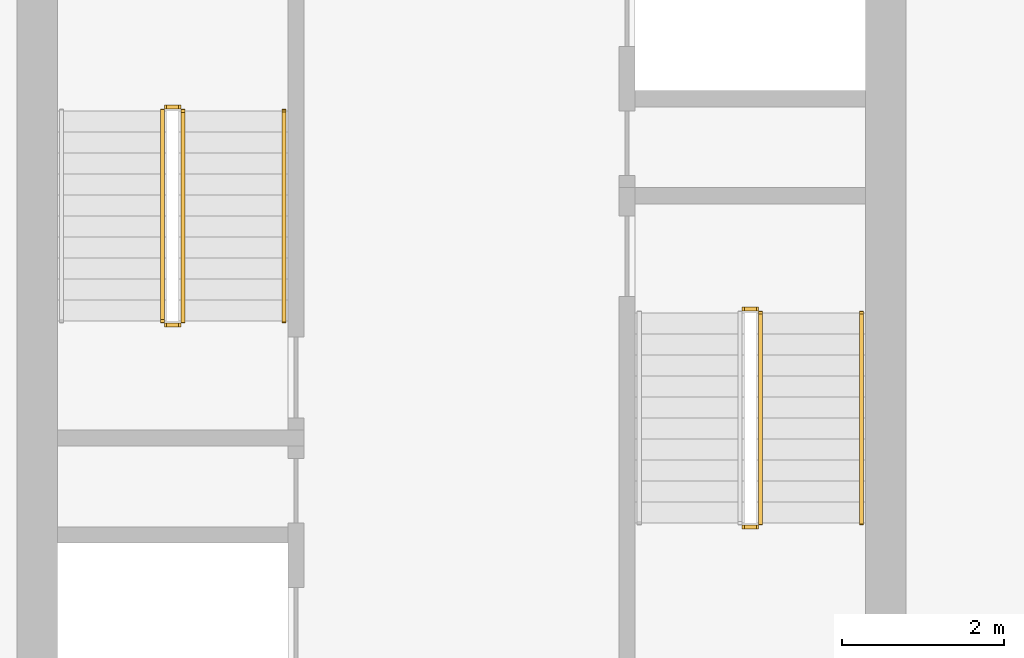
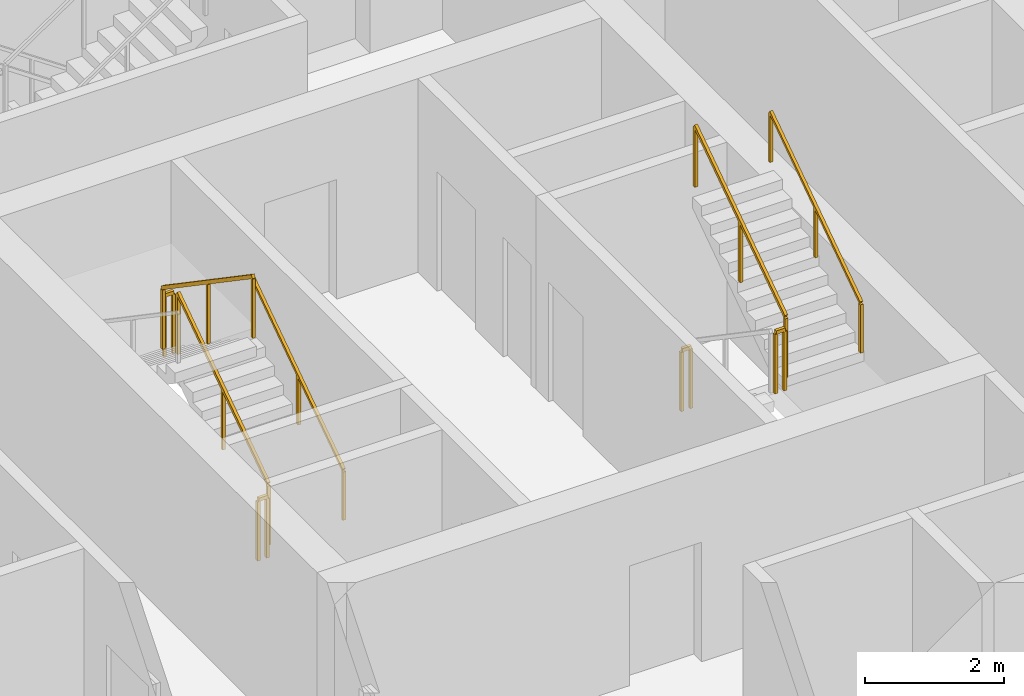
# One storey, part 11 of 14: 9 railings.
"""IFC4 building model written with IfcOpenShell, lengths in metres."""

from ifc_helpers import new_model, si_unit, direction, frame, origin, origin_2d, place, context, subcontext, project, spatial, rectangle, extrude, material, type_object, element, save


model = new_model("IFC4")

# Units and contexts
model_context = context("Model", 3, precision=1e-05, world=origin(), true_north=direction((0.0, 1.0)))
body_context = subcontext(model_context, "Body", "Model", "MODEL_VIEW")
ifc_project = project(units=[si_unit("LENGTHUNIT", "METRE"), si_unit("AREAUNIT", "SQUARE_METRE"), si_unit("VOLUMEUNIT", "CUBIC_METRE"), si_unit("PLANEANGLEUNIT", "RADIAN"), si_unit("MASSUNIT", "GRAM", prefix="KILO")], contexts=[model_context])

# Site, building, storey
site_placement = place(None, origin())
site = spatial("IfcSite", under=ifc_project, at=site_placement, CompositionType="ELEMENT")
building_placement = place(site_placement, origin())
building = spatial("IfcBuilding", under=site, at=building_placement, Name="Khepri Terraces", CompositionType="ELEMENT")
storey_placement = place(building_placement, frame((0.0, 0.0, 122.10009765625)))
storey = spatial("IfcBuildingStorey", under=building, at=storey_placement, Name="L29", CompositionType="ELEMENT", Elevation=122.10009765625)

# Railings
ifc_material = material(Name="Stainless steel 316", Category="steel")
railing_type_1 = type_object("IfcRailingType", Name="RL-CORE-GUARD", PredefinedType="GUARDRAIL", material=ifc_material)
railing_1_placement = place(storey_placement, frame((-3.449951171875, -0.050048828125, 0.17724609375)))
element("IfcRailing", 1, at=railing_1_placement, inside=storey, type_object=railing_type_1, Name="L29 ST-1 stair guard 1", PredefinedType="GUARDRAIL", context=body_context, shape_type="SweptSolid", body=[
    extrude(rectangle(XDim=0.050048828125, YDim=0.06005859375, at=origin_2d()), frame((0.0, 0.0, 1.070068359375), z_axis=(0.0, 0.826240473404, 0.563317565952), x_axis=(-1.0, 0.0, 0.0)), (0.0, 0.0, 1.0), 3.14697265625),
    extrude(rectangle(XDim=0.050048828125, YDim=0.050048828125, at=origin_2d()), origin(), (0.0, 0.0, 1.0), 1.0400390625),
    extrude(rectangle(XDim=0.050048828125, YDim=0.050048828125, at=origin_2d()), frame((0.0, 1.300048828125, 0.88623046875)), (0.0, 0.0, 1.0), 1.0400390625),
    extrude(rectangle(XDim=0.050048828125, YDim=0.050048828125, at=origin_2d()), frame((0.0, 2.60009765625, 1.772705078125)), (0.0, 0.0, 1.0), 1.0400390625),
])
railing_2_placement = place(storey_placement, frame((-3.5, 2.60009765625, 1.949951171875)))
element("IfcRailing", 2, at=railing_2_placement, inside=storey, type_object=railing_type_1, Name="L29 ST-1 stair guard 2", PredefinedType="GUARDRAIL", context=body_context, shape_type="SweptSolid", body=[
    extrude(rectangle(XDim=0.050048828125, YDim=0.06005859375, at=origin_2d()), frame((0.0, 0.0, 1.070068359375), z_axis=(-1.0, 0.0, 0.0), x_axis=(0.0, -1.0, 0.0)), (0.0, 0.0, 1.0), 0.14990234375),
    extrude(rectangle(XDim=0.050048828125, YDim=0.050048828125, at=origin_2d()), origin(), (0.0, 0.0, 1.0), 1.0400390625),
    extrude(rectangle(XDim=0.050048828125, YDim=0.050048828125, at=origin_2d()), frame((-0.14990234375, 0.0, 0.0)), (0.0, 0.0, 1.0), 1.0400390625),
])
railing_3_placement = place(storey_placement, frame((-3.699951171875, 2.550048828125, 2.127197265625)))
element("IfcRailing", 3, at=railing_3_placement, inside=storey, type_object=railing_type_1, Name="L29 ST-1 stair guard 3", PredefinedType="GUARDRAIL", context=body_context, shape_type="SweptSolid", body=[
    extrude(rectangle(XDim=0.050048828125, YDim=0.06005859375, at=origin_2d()), frame((0.0, 0.0, 1.070068359375), z_axis=(0.0, -0.826240473404, 0.563317565952), x_axis=(1.0, 0.0, 0.0)), (0.0, 0.0, 1.0), 3.14697265625),
    extrude(rectangle(XDim=0.050048828125, YDim=0.050048828125, at=origin_2d()), origin(), (0.0, 0.0, 1.0), 1.0400390625),
    extrude(rectangle(XDim=0.050048828125, YDim=0.050048828125, at=origin_2d()), frame((0.0, -1.300048828125, 0.88623046875)), (0.0, 0.0, 1.0), 1.0400390625),
    extrude(rectangle(XDim=0.050048828125, YDim=0.050048828125, at=origin_2d()), frame((0.0, -2.60009765625, 1.772705078125)), (0.0, 0.0, 1.0), 1.0400390625),
])
railing_4_placement = place(storey_placement, frame((-3.5, -0.10009765625, 0.0)))
element("IfcRailing", 4, at=railing_4_placement, inside=storey, type_object=railing_type_1, Name="L29 ST-1 stair guard 4", PredefinedType="GUARDRAIL", context=body_context, shape_type="SweptSolid", body=[
    extrude(rectangle(XDim=0.050048828125, YDim=0.06005859375, at=origin_2d()), frame((0.0, 0.0, 1.070068359375), z_axis=(-1.0, 0.0, 0.0), x_axis=(0.0, -1.0, 0.0)), (0.0, 0.0, 1.0), 0.14990234375),
    extrude(rectangle(XDim=0.050048828125, YDim=0.050048828125, at=origin_2d()), origin(), (0.0, 0.0, 1.0), 1.0400390625),
    extrude(rectangle(XDim=0.050048828125, YDim=0.050048828125, at=origin_2d()), frame((-0.14990234375, 0.0, 0.0)), (0.0, 0.0, 1.0), 1.0400390625),
])
railing_5_placement = place(storey_placement, frame((3.5, -2.60009765625, 1.949951171875)))
element("IfcRailing", 5, at=railing_5_placement, inside=storey, type_object=railing_type_1, Name="L29 ST-2 stair guard 2", PredefinedType="GUARDRAIL", context=body_context, shape_type="SweptSolid", body=[
    extrude(rectangle(XDim=0.050048828125, YDim=0.06005859375, at=origin_2d()), frame((0.0, 0.0, 1.070068359375), z_axis=(1.0, 0.0, 0.0), x_axis=(0.0, 1.0, 0.0)), (0.0, 0.0, 1.0), 0.14990234375),
    extrude(rectangle(XDim=0.050048828125, YDim=0.050048828125, at=origin_2d()), origin(), (0.0, 0.0, 1.0), 1.0400390625),
    extrude(rectangle(XDim=0.050048828125, YDim=0.050048828125, at=origin_2d()), frame((0.14990234375, 0.0, 0.0)), (0.0, 0.0, 1.0), 1.0400390625),
])
railing_6_placement = place(storey_placement, frame((3.699951171875, -2.550048828125, 2.127197265625)))
element("IfcRailing", 6, at=railing_6_placement, inside=storey, type_object=railing_type_1, Name="L29 ST-2 stair guard 3", PredefinedType="GUARDRAIL", context=body_context, shape_type="SweptSolid", body=[
    extrude(rectangle(XDim=0.050048828125, YDim=0.06005859375, at=origin_2d()), frame((0.0, 0.0, 1.070068359375), z_axis=(0.0, 0.826240473404, 0.563317565952), x_axis=(-1.0, 0.0, 0.0)), (0.0, 0.0, 1.0), 3.14697265625),
    extrude(rectangle(XDim=0.050048828125, YDim=0.050048828125, at=origin_2d()), origin(), (0.0, 0.0, 1.0), 1.0400390625),
    extrude(rectangle(XDim=0.050048828125, YDim=0.050048828125, at=origin_2d()), frame((0.0, 1.300048828125, 0.88623046875)), (0.0, 0.0, 1.0), 1.0400390625),
    extrude(rectangle(XDim=0.050048828125, YDim=0.050048828125, at=origin_2d()), frame((0.0, 2.60009765625, 1.772705078125)), (0.0, 0.0, 1.0), 1.0400390625),
])
railing_7_placement = place(storey_placement, frame((3.5, 0.10009765625, 0.0)))
element("IfcRailing", 7, at=railing_7_placement, inside=storey, type_object=railing_type_1, Name="L29 ST-2 stair guard 4", PredefinedType="GUARDRAIL", context=body_context, shape_type="SweptSolid", body=[
    extrude(rectangle(XDim=0.050048828125, YDim=0.06005859375, at=origin_2d()), frame((0.0, 0.0, 1.070068359375), z_axis=(1.0, 0.0, 0.0), x_axis=(0.0, 1.0, 0.0)), (0.0, 0.0, 1.0), 0.14990234375),
    extrude(rectangle(XDim=0.050048828125, YDim=0.050048828125, at=origin_2d()), origin(), (0.0, 0.0, 1.0), 1.0400390625),
    extrude(rectangle(XDim=0.050048828125, YDim=0.050048828125, at=origin_2d()), frame((0.14990234375, 0.0, 0.0)), (0.0, 0.0, 1.0), 1.0400390625),
])
railing_type_2 = type_object("IfcRailingType", Name="RL-CORE-HANDRAIL", PredefinedType="HANDRAIL", material=ifc_material)
for number, where, name in (
    (8, (-2.199951171875, -0.050048828125, 0.17724609375), "L29 ST-1 stair handrail 1"),
    (9, (4.949951171875, -2.550048828125, 2.127197265625), "L29 ST-2 stair handrail 2"),
):
    element("IfcRailing", number, at=place(storey_placement, frame(where)), inside=storey, type_object=railing_type_2, Name=name, PredefinedType="HANDRAIL", context=body_context, shape_type="SweptSolid", body=[
        extrude(rectangle(XDim=0.050048828125, YDim=0.050048828125, at=origin_2d()), frame((0.0, 0.0, 0.875), z_axis=(0.0, 0.826240473404, 0.563317565952), x_axis=(-1.0, 0.0, 0.0)), (0.0, 0.0, 1.0), 3.14697265625),
        extrude(rectangle(XDim=0.050048828125, YDim=0.050048828125, at=origin_2d()), origin(), (0.0, 0.0, 1.0), 0.849853515625),
        extrude(rectangle(XDim=0.050048828125, YDim=0.050048828125, at=origin_2d()), frame((0.0, 1.300048828125, 0.88623046875)), (0.0, 0.0, 1.0), 0.849853515625),
        extrude(rectangle(XDim=0.050048828125, YDim=0.050048828125, at=origin_2d()), frame((0.0, 2.60009765625, 1.772705078125)), (0.0, 0.0, 1.0), 0.849853515625),
    ])

save(model, "model.ifc")
